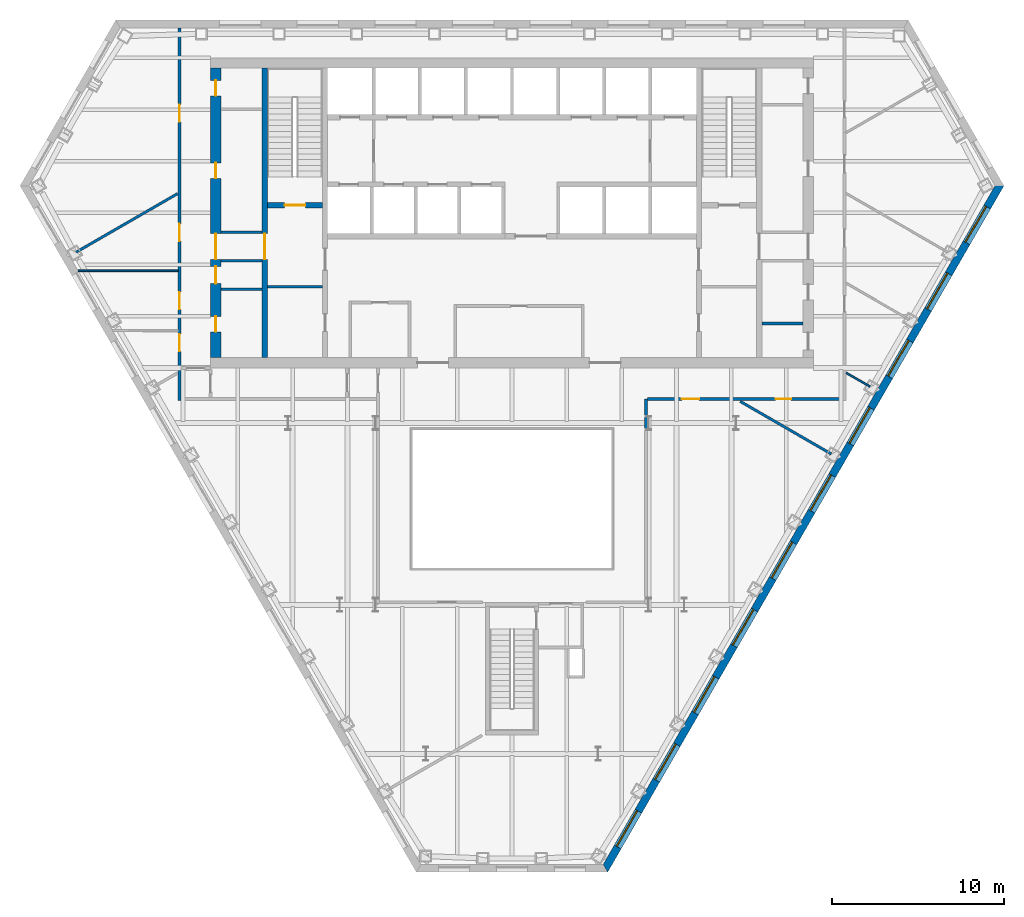
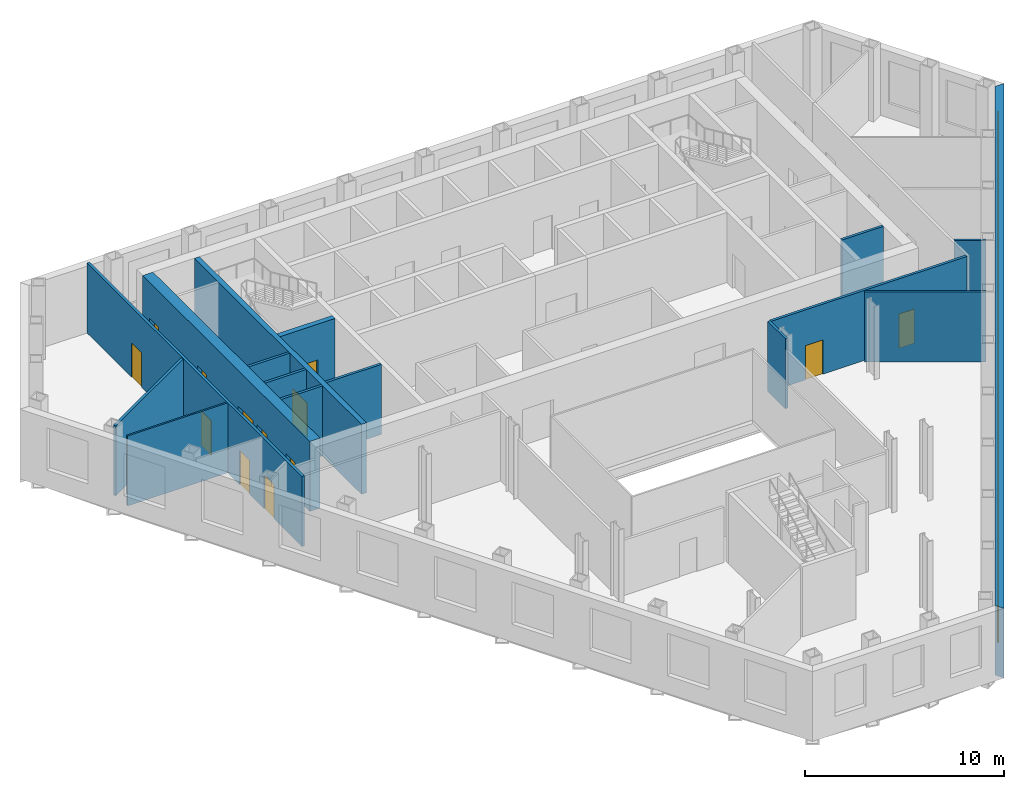
# One storey, part 6 of 12: 16 walls, 13 doors, 10 windows, 23 openings.
"""IFC4 building model written with IfcOpenShell, lengths in metres."""

from ifc_helpers import new_model, si_unit, direction, frame, frame_2d, origin, place, context, subcontext, project, spatial, polyline, rectangle, outline, extrude, material, layer, layer_set, type_object, element, fill, save


model = new_model("IFC4")

# Units and contexts
model_context = context("Model", 3, precision=1e-05, world=origin(), true_north=direction((0.0, 1.0)))
body_context = subcontext(model_context, "Body", "Model", "MODEL_VIEW")
ifc_project = project(units=[si_unit("LENGTHUNIT", "METRE"), si_unit("AREAUNIT", "SQUARE_METRE"), si_unit("VOLUMEUNIT", "CUBIC_METRE"), si_unit("PLANEANGLEUNIT", "RADIAN"), si_unit("MASSUNIT", "GRAM", prefix="KILO")], contexts=[model_context])

# Site, building, storey
site_placement = place(None, origin())
site = spatial("IfcSite", under=ifc_project, at=site_placement, CompositionType="ELEMENT")
building_placement = place(site_placement, origin())
building = spatial("IfcBuilding", under=site, at=building_placement, Name="Njiva Tower", CompositionType="ELEMENT")
storey_placement = place(building_placement, frame((0.0, 0.0, 60.3)))
storey = spatial("IfcBuildingStorey", under=building, at=storey_placement, Name="L12", CompositionType="ELEMENT", Elevation=60.3)

# Walls
ifc_material_1 = material(Name="Blockwork", Category="masonry")
ifc_layer_1 = layer(ifc_material_1, 0.15)
ifc_layer_set_1 = layer_set([ifc_layer_1], Name="Blockwork")
wall_type_1 = type_object("IfcWallType", Name="WT1 Compartment partition 150", PredefinedType="PARTITIONING", material=ifc_layer_set_1)
wall_1_placement = place(storey_placement, frame((-14.2, 4.725, 0.0), z_axis=(0.0, 0.0, 1.0), x_axis=(1.0, 0.0, 0.0)))
element("IfcWall", 1, at=wall_1_placement, inside=storey, type_object=wall_type_1, Name="Room wall A", PredefinedType="PARTITIONING", context=body_context, shape_type="SweptSolid", body=[
    extrude(rectangle(XDim=3.2, YDim=0.15, at=frame_2d((1.6, 0.0))), origin(), (0.0, 0.0, 1.0), 4.3),
])
for number, where, z_axis, x_axis, name in (
    (2, (-16.9, 4.575, 0.0), (0.0, 0.0, 1.0), (1.0, 0.0, 0.0), "Partition strip W00"),
    (3, (14.5, 2.5835, 0.0), (0.0, 0.0, 1.0), (1.0, 0.0, 0.0), "Partition strip E00"),
):
    element("IfcWall", number, at=place(storey_placement, frame(where, z_axis=z_axis, x_axis=x_axis)), inside=storey, type_object=wall_type_1, Name=name, PredefinedType="PARTITIONING", context=body_context, shape_type="SweptSolid", body=[
        extrude(rectangle(XDim=2.4, YDim=0.15, at=frame_2d((1.2, 0.0))), origin(), (0.0, 0.0, 1.0), 4.3),
    ])

# Wall, opening, door
ifc_material_2 = material(Name="Concrete C40/50", Category="concrete")
ifc_layer_2 = layer(ifc_material_2, 0.3)
ifc_layer_set_2 = layer_set([ifc_layer_2], Name="Concrete C40/50")
wall_type_2 = type_object("IfcWallType", Name="WT10 Stair enclosure wall 300", PredefinedType="SHEAR", material=ifc_layer_set_2)
wall_2_placement = place(storey_placement, frame((-14.35, 0.6, 0.0), z_axis=(0.0, 0.0, 1.0), x_axis=(0.0, 1.0, 0.0)))
wall_2 = element("IfcWall", 4, at=wall_2_placement, inside=storey, type_object=wall_type_2, Name="Stair wall west outer", PredefinedType="SHEAR", context=body_context, shape_type="SweptSolid", body=[
    extrude(rectangle(XDim=16.8, YDim=0.3, at=frame_2d((8.4, 0.0))), origin(), (0.0, 0.0, 1.0), 4.3),
])
opening_1_placement = place(wall_2_placement, frame((5.7, 0.0, 0.0)))
opening_1 = element("IfcOpeningElement", 5, at=opening_1_placement, cuts=wall_2, Name="Opening S04-D920", PredefinedType="OPENING", context=body_context, shape_type="SweptSolid", body=[
    extrude(rectangle(XDim=1.5, YDim=2.1, at=frame_2d((0.75, 1.05))), frame((0.0, 0.16, 0.0), z_axis=(0.0, -1.0, 0.0), x_axis=(1.0, 0.0, 0.0)), (0.0, 0.0, 1.0), 0.32),
])
ifc_material_3 = material(Name="Glazed steel fire door", Category="steel")
door_type_1 = type_object("IfcDoorType", Name="D10 Exit door double 1500x2100 glazed", OperationType="DOUBLE_DOOR_SINGLE_SWING", PredefinedType="DOOR", material=ifc_material_3)
door_1_placement = place(opening_1_placement, origin())
door_1 = element("IfcDoor", 6, at=door_1_placement, inside=storey, type_object=door_type_1, Name="Stair A passage door", OperationType="DOUBLE_DOOR_SINGLE_SWING", OverallHeight=2.1, OverallWidth=1.5, PredefinedType="DOOR", context=body_context, shape_type="SweptSolid", body=[
    extrude(rectangle(XDim=1.5, YDim=2.1, at=frame_2d((0.75, 1.05))), frame((0.0, 0.025, 0.0), z_axis=(0.0, -1.0, 0.0), x_axis=(1.0, 0.0, 0.0)), (0.0, 0.0, 1.0), 0.05),
])
fill(opening_1, door_1)

wall_3_placement = place(storey_placement, frame((-14.2, 9.45, 0.0), z_axis=(0.0, 0.0, 1.0), x_axis=(1.0, 0.0, 0.0)))
wall_3 = element("IfcWall", 7, at=wall_3_placement, inside=storey, type_object=wall_type_2, Name="Stair A south wall", PredefinedType="SHEAR", context=body_context, shape_type="SweptSolid", body=[
    extrude(rectangle(XDim=3.2, YDim=0.3, at=frame_2d((1.6, 0.0))), origin(), (0.0, 0.0, 1.0), 4.3),
])
opening_2_placement = place(wall_3_placement, frame((1.0, 0.0, 0.0)))
opening_2 = element("IfcOpeningElement", 8, at=opening_2_placement, cuts=wall_3, Name="Opening S04-D913", PredefinedType="OPENING", context=body_context, shape_type="SweptSolid", body=[
    extrude(rectangle(XDim=1.2, YDim=2.1, at=frame_2d((0.6, 1.05))), frame((0.0, 0.16, 0.0), z_axis=(0.0, -1.0, 0.0), x_axis=(1.0, 0.0, 0.0)), (0.0, 0.0, 1.0), 0.32),
])
door_type_2 = type_object("IfcDoorType", Name="D7 Stair vestibule door 1200x2100 glazed", OperationType="SINGLE_SWING_LEFT", PredefinedType="DOOR", material=ifc_material_3)
door_2_placement = place(opening_2_placement, origin())
door_2 = element("IfcDoor", 9, at=door_2_placement, inside=storey, type_object=door_type_2, Name="Stair A door", OperationType="SINGLE_SWING_LEFT", OverallHeight=2.1, OverallWidth=1.2, PredefinedType="DOOR", context=body_context, shape_type="SweptSolid", body=[
    extrude(rectangle(XDim=1.2, YDim=2.1, at=frame_2d((0.6, 1.05))), frame((0.0, 0.025, 0.0), z_axis=(0.0, -1.0, 0.0), x_axis=(1.0, 0.0, 0.0)), (0.0, 0.0, 1.0), 0.05),
])
fill(opening_2, door_2)

# Wall, openings, doors
ifc_material_4 = material(Name="Concrete C60/75", Category="concrete")
ifc_layer_3 = layer(ifc_material_4, 0.6)
ifc_layer_set_3 = layer_set([ifc_layer_3], Name="Concrete C60/75")
wall_type_3 = type_object("IfcWallType", Name="WT15 Core wall 600", PredefinedType="SHEAR", material=ifc_layer_set_3)
wall_4_placement = place(storey_placement, frame((-17.2, 0.6, 0.0), z_axis=(0.0, 0.0, 1.0), x_axis=(0.0, 1.0, 0.0)))
wall_4 = element("IfcWall", 10, at=wall_4_placement, inside=storey, type_object=wall_type_3, Name="Core wall west", PredefinedType="SHEAR", context=body_context, shape_type="SweptSolid", body=[
    extrude(rectangle(XDim=16.8, YDim=0.6, at=frame_2d((8.4, 0.0))), origin(), (0.0, 0.0, 1.0), 4.3),
])
opening_3_placement = place(wall_4_placement, frame((5.7, 0.0, 0.0)))
opening_3 = element("IfcOpeningElement", 11, at=opening_3_placement, cuts=wall_4, Name="Opening S04-D921", PredefinedType="OPENING", context=body_context, shape_type="SweptSolid", body=[
    extrude(rectangle(XDim=1.5, YDim=2.1, at=frame_2d((0.75, 1.05))), frame((0.0, 0.31, 0.0), z_axis=(0.0, -1.0, 0.0), x_axis=(1.0, 0.0, 0.0)), (0.0, 0.0, 1.0), 0.62),
])
opening_4_placement = place(wall_4_placement, frame((1.5, 0.0, 0.0)))
opening_4 = element("IfcOpeningElement", 12, at=opening_4_placement, cuts=wall_4, Name="Opening S04-D922", PredefinedType="OPENING", context=body_context, shape_type="SweptSolid", body=[
    extrude(rectangle(XDim=0.9, YDim=2.1, at=frame_2d((0.45, 1.05))), frame((0.0, 0.31, 0.0), z_axis=(0.0, -1.0, 0.0), x_axis=(1.0, 0.0, 0.0)), (0.0, 0.0, 1.0), 0.62),
])
opening_5_placement = place(wall_4_placement, frame((4.3, 0.0, 0.0)))
opening_5 = element("IfcOpeningElement", 13, at=opening_5_placement, cuts=wall_4, Name="Opening S04-D923", PredefinedType="OPENING", context=body_context, shape_type="SweptSolid", body=[
    extrude(rectangle(XDim=1.0, YDim=2.1, at=frame_2d((0.5, 1.05))), frame((0.0, 0.31, 0.0), z_axis=(0.0, -1.0, 0.0), x_axis=(1.0, 0.0, 0.0)), (0.0, 0.0, 1.0), 0.62),
])
opening_6_placement = place(wall_4_placement, frame((10.4017, 0.0, 0.0)))
opening_6 = element("IfcOpeningElement", 14, at=opening_6_placement, cuts=wall_4, Name="Opening S04-D924", PredefinedType="OPENING", context=body_context, shape_type="SweptSolid", body=[
    extrude(rectangle(XDim=0.9, YDim=2.1, at=frame_2d((0.45, 1.05))), frame((0.0, 0.31, 0.0), z_axis=(0.0, -1.0, 0.0), x_axis=(1.0, 0.0, 0.0)), (0.0, 0.0, 1.0), 0.62),
])
opening_7_placement = place(wall_4_placement, frame((15.2017, 0.0, 0.0)))
opening_7 = element("IfcOpeningElement", 15, at=opening_7_placement, cuts=wall_4, Name="Opening S04-D925", PredefinedType="OPENING", context=body_context, shape_type="SweptSolid", body=[
    extrude(rectangle(XDim=0.9, YDim=2.1, at=frame_2d((0.45, 1.05))), frame((0.0, 0.31, 0.0), z_axis=(0.0, -1.0, 0.0), x_axis=(1.0, 0.0, 0.0)), (0.0, 0.0, 1.0), 0.62),
])
door_3_placement = place(opening_3_placement, origin())
door_3 = element("IfcDoor", 16, at=door_3_placement, inside=storey, type_object=door_type_1, Name="Stair A corridor door", OperationType="DOUBLE_DOOR_SINGLE_SWING", OverallHeight=2.1, OverallWidth=1.5, PredefinedType="DOOR", context=body_context, shape_type="SweptSolid", body=[
    extrude(rectangle(XDim=1.5, YDim=2.1, at=frame_2d((0.75, 1.05))), frame((0.0, 0.025, 0.0), z_axis=(0.0, -1.0, 0.0), x_axis=(1.0, 0.0, 0.0)), (0.0, 0.0, 1.0), 0.05),
])
fill(opening_3, door_3)
ifc_material_5 = material(Name="Steel door, painted", Category="steel")
door_type_3 = type_object("IfcDoorType", Name="D4 Riser door 900x2100", OperationType="SINGLE_SWING_LEFT", PredefinedType="DOOR", material=ifc_material_5)
door_4_placement = place(opening_7_placement, origin())
door_4 = element("IfcDoor", 17, at=door_4_placement, inside=storey, type_object=door_type_3, Name="Riser door", OperationType="SINGLE_SWING_LEFT", OverallHeight=2.1, OverallWidth=0.9, PredefinedType="DOOR", context=body_context, shape_type="SweptSolid", body=[
    extrude(rectangle(XDim=0.9, YDim=2.1, at=frame_2d((0.45, 1.05))), frame((0.0, 0.025, 0.0), z_axis=(0.0, -1.0, 0.0), x_axis=(1.0, 0.0, 0.0)), (0.0, 0.0, 1.0), 0.05),
])
fill(opening_7, door_4)
door_type_4 = type_object("IfcDoorType", Name="D5 Steel door 1000x2100", OperationType="SINGLE_SWING_LEFT", PredefinedType="DOOR", material=ifc_material_5)
door_5_placement = place(opening_5_placement, origin())
door_5 = element("IfcDoor", 18, at=door_5_placement, inside=storey, type_object=door_type_4, Name="Electrical room door", OperationType="SINGLE_SWING_LEFT", OverallHeight=2.1, OverallWidth=1.0, PredefinedType="DOOR", context=body_context, shape_type="SweptSolid", body=[
    extrude(rectangle(XDim=1.0, YDim=2.1, at=frame_2d((0.5, 1.05))), frame((0.0, 0.025, 0.0), z_axis=(0.0, -1.0, 0.0), x_axis=(1.0, 0.0, 0.0)), (0.0, 0.0, 1.0), 0.05),
])
fill(opening_5, door_5)
ifc_material_6 = material(Name="Steel fire door, painted", Category="steel")
door_type_5 = type_object("IfcDoorType", Name="D6 Fire-rated door 900x2100", OperationType="SINGLE_SWING_LEFT", PredefinedType="DOOR", material=ifc_material_6)
door_6_placement = place(opening_4_placement, origin())
door_6 = element("IfcDoor", 19, at=door_6_placement, inside=storey, type_object=door_type_5, Name="Business centre door", OperationType="SINGLE_SWING_LEFT", OverallHeight=2.1, OverallWidth=0.9, PredefinedType="DOOR", context=body_context, shape_type="SweptSolid", body=[
    extrude(rectangle(XDim=0.9, YDim=2.1, at=frame_2d((0.45, 1.05))), frame((0.0, 0.025, 0.0), z_axis=(0.0, -1.0, 0.0), x_axis=(1.0, 0.0, 0.0)), (0.0, 0.0, 1.0), 0.05),
])
fill(opening_4, door_6)
door_7_placement = place(opening_6_placement, origin())
door_7 = element("IfcDoor", 20, at=door_7_placement, inside=storey, type_object=door_type_5, Name="Meeting room door", OperationType="SINGLE_SWING_RIGHT", OverallHeight=2.1, OverallWidth=0.9, PredefinedType="DOOR", context=body_context, shape_type="SweptSolid", body=[
    extrude(rectangle(XDim=0.9, YDim=2.1, at=frame_2d((0.45, 1.05))), frame((0.0, 0.025, 0.0), z_axis=(0.0, -1.0, 0.0), x_axis=(1.0, 0.0, 0.0)), (0.0, 0.0, 1.0), 0.05),
])
fill(opening_6, door_7)

# Walls
ifc_material_7 = material(Name="Gypsum board on steel studs", Category="gypsum")
ifc_layer_4 = layer(ifc_material_7, 0.1)
ifc_layer_set_4 = layer_set([ifc_layer_4], Name="Gypsum board on steel studs")
wall_type_4 = type_object("IfcWallType", Name="WT20 Gypsum partition 100", PredefinedType="PARTITIONING", material=ifc_layer_set_4)
wall_5_placement = place(storey_placement, frame((-25.192, 5.646, 0.0), z_axis=(0.0, 0.0, 1.0), x_axis=(1.0, 0.0, 0.0)))
element("IfcWall", 21, at=wall_5_placement, inside=storey, type_object=wall_type_4, Name="Partition S04-P002", PredefinedType="PARTITIONING", context=body_context, shape_type="SweptSolid", body=[
    extrude(rectangle(XDim=5.817, YDim=0.1, at=frame_2d((2.9085, 0.0))), origin(), (0.0, 0.0, 1.0), 4.3),
])
wall_6_placement = place(storey_placement, frame((19.4, -0.285, 0.0), z_axis=(0.0, 0.0, 1.0), x_axis=(0.866237568633, -0.499632339514, 0.0)))
element("IfcWall", 22, at=wall_6_placement, inside=storey, type_object=wall_type_4, Name="Partition S04-P019", PredefinedType="PARTITIONING", context=body_context, shape_type="SweptSolid", body=[
    extrude(rectangle(XDim=1.6012, YDim=0.1, at=frame_2d((0.8006, 0.0))), origin(), (0.0, 0.0, 1.0), 4.3),
])
ifc_layer_5 = layer(ifc_material_7, 0.15)
ifc_layer_set_5 = layer_set([ifc_layer_5], Name="Gypsum board on steel studs")
wall_type_5 = type_object("IfcWallType", Name="WT21 Compartment wall 150", PredefinedType="PARTITIONING", material=ifc_layer_set_5)
wall_7_placement = place(storey_placement, frame((-25.296, 6.725, 0.0), z_axis=(0.0, 0.0, 1.0), x_axis=(0.866161077876, 0.499764931915, 0.0)))
element("IfcWall", 23, at=wall_7_placement, inside=storey, type_object=wall_type_5, Name="Partition S04-P001", PredefinedType="PARTITIONING", context=body_context, shape_type="SweptSolid", body=[
    extrude(rectangle(XDim=6.7932, YDim=0.15, at=frame_2d((3.3966, 0.0))), origin(), (0.0, 0.0, 1.0), 4.3),
])

# Wall, openings, doors
wall_8_placement = place(storey_placement, frame((-19.3, -1.875, 0.0), z_axis=(0.0, 0.0, 1.0), x_axis=(0.0, 1.0, 0.0)))
wall_8 = element("IfcWall", 24, at=wall_8_placement, inside=storey, type_object=wall_type_5, Name="Partition S04-P005", PredefinedType="PARTITIONING", context=body_context, shape_type="SweptSolid", body=[
    extrude(rectangle(XDim=21.623, YDim=0.15, at=frame_2d((10.8115, 0.0))), origin(), (0.0, 0.0, 1.0), 4.3),
])
opening_8_placement = place(wall_8_placement, frame((2.839, 0.0, 0.0)))
opening_8 = element("IfcOpeningElement", 25, at=opening_8_placement, cuts=wall_8, Name="Opening S04-D001", PredefinedType="OPENING", context=body_context, shape_type="SweptSolid", body=[
    extrude(rectangle(XDim=1.0, YDim=2.1, at=frame_2d((0.5, 1.05))), frame((0.0, 0.085, 0.0), z_axis=(0.0, -1.0, 0.0), x_axis=(1.0, 0.0, 0.0)), (0.0, 0.0, 1.0), 0.17),
])
opening_9_placement = place(wall_8_placement, frame((5.28, 0.0, 0.0)))
opening_9 = element("IfcOpeningElement", 26, at=opening_9_placement, cuts=wall_8, Name="Opening S04-D002", PredefinedType="OPENING", context=body_context, shape_type="SweptSolid", body=[
    extrude(rectangle(XDim=1.0, YDim=2.1, at=frame_2d((0.5, 1.05))), frame((0.0, 0.085, 0.0), z_axis=(0.0, -1.0, 0.0), x_axis=(1.0, 0.0, 0.0)), (0.0, 0.0, 1.0), 0.17),
])
opening_10_placement = place(wall_8_placement, frame((9.239, 0.0, 0.0)))
opening_10 = element("IfcOpeningElement", 27, at=opening_10_placement, cuts=wall_8, Name="Opening S04-D003", PredefinedType="OPENING", context=body_context, shape_type="SweptSolid", body=[
    extrude(rectangle(XDim=1.0, YDim=2.1, at=frame_2d((0.5, 1.05))), frame((0.0, 0.085, 0.0), z_axis=(0.0, -1.0, 0.0), x_axis=(1.0, 0.0, 0.0)), (0.0, 0.0, 1.0), 0.17),
])
opening_11_placement = place(wall_8_placement, frame((16.167, 0.0, 0.0)))
opening_11 = element("IfcOpeningElement", 28, at=opening_11_placement, cuts=wall_8, Name="Opening S04-D004", PredefinedType="OPENING", context=body_context, shape_type="SweptSolid", body=[
    extrude(rectangle(XDim=1.0, YDim=2.1, at=frame_2d((0.5, 1.05))), frame((0.0, 0.085, 0.0), z_axis=(0.0, -1.0, 0.0), x_axis=(1.0, 0.0, 0.0)), (0.0, 0.0, 1.0), 0.17),
])
ifc_material_8 = material(Name="Steel fire door set", Category="steel")
door_type_6 = type_object("IfcDoorType", Name="D37 Fire door 1000x2100", OperationType="SINGLE_SWING_LEFT", PredefinedType="DOOR", material=ifc_material_8)
door_8_placement = place(opening_8_placement, origin())
door_8 = element("IfcDoor", 29, at=door_8_placement, inside=storey, type_object=door_type_6, Name="Door S04-D001", OperationType="SINGLE_SWING_RIGHT", OverallHeight=2.1, OverallWidth=1.0, PredefinedType="DOOR", context=body_context, shape_type="SweptSolid", body=[
    extrude(rectangle(XDim=1.0, YDim=2.1, at=frame_2d((0.5, 1.05))), frame((0.0, 0.025, 0.0), z_axis=(0.0, -1.0, 0.0), x_axis=(1.0, 0.0, 0.0)), (0.0, 0.0, 1.0), 0.05),
])
fill(opening_8, door_8)
door_9_placement = place(opening_9_placement, origin())
door_9 = element("IfcDoor", 30, at=door_9_placement, inside=storey, type_object=door_type_6, Name="Door S04-D002", OperationType="SINGLE_SWING_RIGHT", OverallHeight=2.1, OverallWidth=1.0, PredefinedType="DOOR", context=body_context, shape_type="SweptSolid", body=[
    extrude(rectangle(XDim=1.0, YDim=2.1, at=frame_2d((0.5, 1.05))), frame((0.0, 0.025, 0.0), z_axis=(0.0, -1.0, 0.0), x_axis=(1.0, 0.0, 0.0)), (0.0, 0.0, 1.0), 0.05),
])
fill(opening_9, door_9)
door_10_placement = place(opening_10_placement, origin())
door_10 = element("IfcDoor", 31, at=door_10_placement, inside=storey, type_object=door_type_6, Name="Door S04-D003", OperationType="SINGLE_SWING_RIGHT", OverallHeight=2.1, OverallWidth=1.0, PredefinedType="DOOR", context=body_context, shape_type="SweptSolid", body=[
    extrude(rectangle(XDim=1.0, YDim=2.1, at=frame_2d((0.5, 1.05))), frame((0.0, 0.025, 0.0), z_axis=(0.0, -1.0, 0.0), x_axis=(1.0, 0.0, 0.0)), (0.0, 0.0, 1.0), 0.05),
])
fill(opening_10, door_10)
door_11_placement = place(opening_11_placement, origin())
door_11 = element("IfcDoor", 32, at=door_11_placement, inside=storey, type_object=door_type_6, Name="Door S04-D004", OperationType="SINGLE_SWING_LEFT", OverallHeight=2.1, OverallWidth=1.0, PredefinedType="DOOR", context=body_context, shape_type="SweptSolid", body=[
    extrude(rectangle(XDim=1.0, YDim=2.1, at=frame_2d((0.5, 1.05))), frame((0.0, 0.025, 0.0), z_axis=(0.0, -1.0, 0.0), x_axis=(1.0, 0.0, 0.0)), (0.0, 0.0, 1.0), 0.05),
])
fill(opening_11, door_11)

# Wall
wall_9_placement = place(storey_placement, frame((7.78, -3.557, 0.0), z_axis=(0.0, 0.0, 1.0), x_axis=(0.0, 1.0, 0.0)))
element("IfcWall", 33, at=wall_9_placement, inside=storey, type_object=wall_type_5, Name="Partition S04-P014A", PredefinedType="PARTITIONING", context=body_context, shape_type="SweptSolid", body=[
    extrude(rectangle(XDim=1.769, YDim=0.15, at=frame_2d((0.8845, 0.0))), origin(), (0.0, 0.0, 1.0), 4.3),
])

# Wall, openings, doors
wall_10_placement = place(storey_placement, frame((7.855, -1.8, 0.0), z_axis=(0.0, 0.0, 1.0), x_axis=(1.0, 0.0, 0.0)))
wall_10 = element("IfcWall", 34, at=wall_10_placement, inside=storey, type_object=wall_type_5, Name="Partition S04-P015", PredefinedType="PARTITIONING", context=body_context, shape_type="SweptSolid", body=[
    extrude(rectangle(XDim=11.37, YDim=0.15, at=frame_2d((5.685, 0.0))), origin(), (0.0, 0.0, 1.0), 4.3),
])
opening_12_placement = place(wall_10_placement, frame((2.001, 0.0, 0.0)))
opening_12 = element("IfcOpeningElement", 35, at=opening_12_placement, cuts=wall_10, Name="Opening S04-D010", PredefinedType="OPENING", context=body_context, shape_type="SweptSolid", body=[
    extrude(rectangle(XDim=1.0, YDim=2.1, at=frame_2d((0.5, 1.05))), frame((0.0, 0.085, 0.0), z_axis=(0.0, -1.0, 0.0), x_axis=(1.0, 0.0, 0.0)), (0.0, 0.0, 1.0), 0.17),
])
opening_13_placement = place(wall_10_placement, frame((7.455, 0.0, 0.0)))
opening_13 = element("IfcOpeningElement", 36, at=opening_13_placement, cuts=wall_10, Name="Opening S04-D011", PredefinedType="OPENING", context=body_context, shape_type="SweptSolid", body=[
    extrude(rectangle(XDim=0.9, YDim=2.1, at=frame_2d((0.45, 1.05))), frame((0.0, 0.085, 0.0), z_axis=(0.0, -1.0, 0.0), x_axis=(1.0, 0.0, 0.0)), (0.0, 0.0, 1.0), 0.17),
])
door_type_7 = type_object("IfcDoorType", Name="D36 Fire door 900x2100", OperationType="SINGLE_SWING_LEFT", PredefinedType="DOOR", material=ifc_material_8)
door_12_placement = place(opening_13_placement, origin())
door_12 = element("IfcDoor", 37, at=door_12_placement, inside=storey, type_object=door_type_7, Name="Door S04-D011", OperationType="SINGLE_SWING_RIGHT", OverallHeight=2.1, OverallWidth=0.9, PredefinedType="DOOR", context=body_context, shape_type="SweptSolid", body=[
    extrude(rectangle(XDim=0.9, YDim=2.1, at=frame_2d((0.45, 1.05))), frame((0.0, 0.025, 0.0), z_axis=(0.0, -1.0, 0.0), x_axis=(1.0, 0.0, 0.0)), (0.0, 0.0, 1.0), 0.05),
])
fill(opening_13, door_12)
door_13_placement = place(opening_12_placement, origin())
door_13 = element("IfcDoor", 38, at=door_13_placement, inside=storey, type_object=door_type_6, Name="Door S04-D010", OperationType="SINGLE_SWING_LEFT", OverallHeight=2.1, OverallWidth=1.0, PredefinedType="DOOR", context=body_context, shape_type="SweptSolid", body=[
    extrude(rectangle(XDim=1.0, YDim=2.1, at=frame_2d((0.5, 1.05))), frame((0.0, 0.025, 0.0), z_axis=(0.0, -1.0, 0.0), x_axis=(1.0, 0.0, 0.0)), (0.0, 0.0, 1.0), 0.05),
])
fill(opening_12, door_13)

# Walls
wall_11_placement = place(storey_placement, frame((13.249, -1.94, 0.0), z_axis=(0.0, 0.0, 1.0), x_axis=(0.866035445757, -0.49998260639, 0.0)))
element("IfcWall", 39, at=wall_11_placement, inside=storey, type_object=wall_type_5, Name="Partition S04-P016", PredefinedType="PARTITIONING", context=body_context, shape_type="SweptSolid", body=[
    extrude(rectangle(XDim=6.1002, YDim=0.15, at=frame_2d((3.0501, 0.0))), origin(), (0.0, 0.0, 1.0), 4.3),
])
ifc_layer_6 = layer(ifc_material_1, 0.15)
ifc_layer_set_6 = layer_set([ifc_layer_6], Name="Blockwork")
wall_type_6 = type_object("IfcWallType", Name="WT4 Stair partition 150", PredefinedType="PARTITIONING", material=ifc_layer_set_6)
for number, where, z_axis, x_axis, name in (
    (40, (-16.9, 6.225, 0.0), (0.0, 0.0, 1.0), (1.0, 0.0, 0.0), "Stair A exit passage wall south"),
    (41, (-16.9, 7.875, 0.0), (0.0, 0.0, 1.0), (1.0, 0.0, 0.0), "Stair A exit passage wall north"),
):
    element("IfcWall", number, at=place(storey_placement, frame(where, z_axis=z_axis, x_axis=x_axis)), inside=storey, type_object=wall_type_6, Name=name, PredefinedType="PARTITIONING", context=body_context, shape_type="SweptSolid", body=[
        extrude(rectangle(XDim=2.4, YDim=0.15, at=frame_2d((1.2, 0.0))), origin(), (0.0, 0.0, 1.0), 4.3),
    ])

# Wall, openings, windows
ifc_material_9 = material(Name="Brick masonry", Category="masonry")
ifc_layer_7 = layer(ifc_material_9, 0.45)
ifc_layer_set_7 = layer_set([ifc_layer_7], Name="Brick masonry")
wall_type_7 = type_object("IfcWallType", Name="WT90 Brick pier and spandrel wall 450", PredefinedType="SOLIDWALL", material=ifc_layer_set_7)
wall_12_placement = place(storey_placement, frame((5.4251, -29.0424, -0.18), z_axis=(0.0, 0.0, 1.0), x_axis=(0.499999388847, 0.866025756634, 0.0)))
wall_12 = element("IfcWall", 42, at=wall_12_placement, inside=storey, type_object=wall_type_7, Name="Facade wall SE", PredefinedType="SOLIDWALL", context=body_context, shape_type="SweptSolid", body=[
    extrude(outline(polyline([(-0.1299, -0.225), (45.8802, -0.225), (45.6204, 0.225), (0.1299, 0.225), (-0.1299, -0.225)])), origin(), (0.0, 0.0, 1.0), 4.28),
])
opening_14_placement = place(wall_12_placement, frame((1.4247, 0.0, 1.08)))
opening_14 = element("IfcOpeningElement", 43, at=opening_14_placement, cuts=wall_12, Name="Opening S04-W25", PredefinedType="OPENING", context=body_context, shape_type="SweptSolid", body=[
    extrude(rectangle(XDim=2.4, YDim=2.6, at=frame_2d((1.2, 1.3))), frame((0.0, 0.235, 0.0), z_axis=(0.0, -1.0, 0.0), x_axis=(1.0, 0.0, 0.0)), (0.0, 0.0, 1.0), 0.47),
])
opening_15_placement = place(wall_12_placement, frame((5.8949, 0.0, 1.08)))
opening_15 = element("IfcOpeningElement", 44, at=opening_15_placement, cuts=wall_12, Name="Opening S04-W26", PredefinedType="OPENING", context=body_context, shape_type="SweptSolid", body=[
    extrude(rectangle(XDim=2.4, YDim=2.6, at=frame_2d((1.2, 1.3))), frame((0.0, 0.235, 0.0), z_axis=(0.0, -1.0, 0.0), x_axis=(1.0, 0.0, 0.0)), (0.0, 0.0, 1.0), 0.47),
])
opening_16_placement = place(wall_12_placement, frame((10.4035, 0.0, 1.08)))
opening_16 = element("IfcOpeningElement", 45, at=opening_16_placement, cuts=wall_12, Name="Opening S04-W27", PredefinedType="OPENING", context=body_context, shape_type="SweptSolid", body=[
    extrude(rectangle(XDim=2.4, YDim=2.6, at=frame_2d((1.2, 1.3))), frame((0.0, 0.235, 0.0), z_axis=(0.0, -1.0, 0.0), x_axis=(1.0, 0.0, 0.0)), (0.0, 0.0, 1.0), 0.47),
])
opening_17_placement = place(wall_12_placement, frame((14.9122, 0.0, 1.08)))
opening_17 = element("IfcOpeningElement", 46, at=opening_17_placement, cuts=wall_12, Name="Opening S04-W28", PredefinedType="OPENING", context=body_context, shape_type="SweptSolid", body=[
    extrude(rectangle(XDim=2.4, YDim=2.6, at=frame_2d((1.2, 1.3))), frame((0.0, 0.235, 0.0), z_axis=(0.0, -1.0, 0.0), x_axis=(1.0, 0.0, 0.0)), (0.0, 0.0, 1.0), 0.47),
])
opening_18_placement = place(wall_12_placement, frame((19.4208, 0.0, 1.08)))
opening_18 = element("IfcOpeningElement", 47, at=opening_18_placement, cuts=wall_12, Name="Opening S04-W29", PredefinedType="OPENING", context=body_context, shape_type="SweptSolid", body=[
    extrude(rectangle(XDim=2.4, YDim=2.6, at=frame_2d((1.2, 1.3))), frame((0.0, 0.235, 0.0), z_axis=(0.0, -1.0, 0.0), x_axis=(1.0, 0.0, 0.0)), (0.0, 0.0, 1.0), 0.47),
])
opening_19_placement = place(wall_12_placement, frame((23.9294, 0.0, 1.08)))
opening_19 = element("IfcOpeningElement", 48, at=opening_19_placement, cuts=wall_12, Name="Opening S04-W30", PredefinedType="OPENING", context=body_context, shape_type="SweptSolid", body=[
    extrude(rectangle(XDim=2.4, YDim=2.6, at=frame_2d((1.2, 1.3))), frame((0.0, 0.235, 0.0), z_axis=(0.0, -1.0, 0.0), x_axis=(1.0, 0.0, 0.0)), (0.0, 0.0, 1.0), 0.47),
])
opening_20_placement = place(wall_12_placement, frame((28.438, 0.0, 1.08)))
opening_20 = element("IfcOpeningElement", 49, at=opening_20_placement, cuts=wall_12, Name="Opening S04-W31", PredefinedType="OPENING", context=body_context, shape_type="SweptSolid", body=[
    extrude(rectangle(XDim=2.4, YDim=2.6, at=frame_2d((1.2, 1.3))), frame((0.0, 0.235, 0.0), z_axis=(0.0, -1.0, 0.0), x_axis=(1.0, 0.0, 0.0)), (0.0, 0.0, 1.0), 0.47),
])
opening_21_placement = place(wall_12_placement, frame((32.9466, 0.0, 1.08)))
opening_21 = element("IfcOpeningElement", 50, at=opening_21_placement, cuts=wall_12, Name="Opening S04-W32", PredefinedType="OPENING", context=body_context, shape_type="SweptSolid", body=[
    extrude(rectangle(XDim=2.4, YDim=2.6, at=frame_2d((1.2, 1.3))), frame((0.0, 0.235, 0.0), z_axis=(0.0, -1.0, 0.0), x_axis=(1.0, 0.0, 0.0)), (0.0, 0.0, 1.0), 0.47),
])
opening_22_placement = place(wall_12_placement, frame((37.4553, 0.0, 1.08)))
opening_22 = element("IfcOpeningElement", 51, at=opening_22_placement, cuts=wall_12, Name="Opening S04-W33", PredefinedType="OPENING", context=body_context, shape_type="SweptSolid", body=[
    extrude(rectangle(XDim=2.4, YDim=2.6, at=frame_2d((1.2, 1.3))), frame((0.0, 0.235, 0.0), z_axis=(0.0, -1.0, 0.0), x_axis=(1.0, 0.0, 0.0)), (0.0, 0.0, 1.0), 0.47),
])
opening_23_placement = place(wall_12_placement, frame((41.9255, 0.0, 1.08)))
opening_23 = element("IfcOpeningElement", 52, at=opening_23_placement, cuts=wall_12, Name="Opening S04-W34", PredefinedType="OPENING", context=body_context, shape_type="SweptSolid", body=[
    extrude(rectangle(XDim=2.4, YDim=2.6, at=frame_2d((1.2, 1.3))), frame((0.0, 0.235, 0.0), z_axis=(0.0, -1.0, 0.0), x_axis=(1.0, 0.0, 0.0)), (0.0, 0.0, 1.0), 0.47),
])
ifc_material_10 = material(Name="Clear glazing in aluminium frame", Category="aluminium")
window_type = type_object("IfcWindowType", Name="W92 Deep-set window 2400x2600", PartitioningType="SINGLE_PANEL", PredefinedType="WINDOW", material=ifc_material_10)
window_1_placement = place(opening_14_placement, origin())
window_1 = element("IfcWindow", 53, at=window_1_placement, inside=storey, type_object=window_type, Name="Window", OverallHeight=2.6, OverallWidth=2.4, PartitioningType="SINGLE_PANEL", PredefinedType="WINDOW", context=body_context, shape_type="SweptSolid", body=[
    extrude(rectangle(XDim=2.4, YDim=2.6, at=frame_2d((1.2, 1.3))), frame((0.0, 0.105, 0.0), z_axis=(0.0, -1.0, 0.0), x_axis=(1.0, 0.0, 0.0)), (0.0, 0.0, 1.0), 0.06),
])
fill(opening_14, window_1)
window_2_placement = place(opening_15_placement, origin())
window_2 = element("IfcWindow", 54, at=window_2_placement, inside=storey, type_object=window_type, Name="Window", OverallHeight=2.6, OverallWidth=2.4, PartitioningType="SINGLE_PANEL", PredefinedType="WINDOW", context=body_context, shape_type="SweptSolid", body=[
    extrude(rectangle(XDim=2.4, YDim=2.6, at=frame_2d((1.2, 1.3))), frame((0.0, 0.105, 0.0), z_axis=(0.0, -1.0, 0.0), x_axis=(1.0, 0.0, 0.0)), (0.0, 0.0, 1.0), 0.06),
])
fill(opening_15, window_2)
window_3_placement = place(opening_16_placement, origin())
window_3 = element("IfcWindow", 55, at=window_3_placement, inside=storey, type_object=window_type, Name="Window", OverallHeight=2.6, OverallWidth=2.4, PartitioningType="SINGLE_PANEL", PredefinedType="WINDOW", context=body_context, shape_type="SweptSolid", body=[
    extrude(rectangle(XDim=2.4, YDim=2.6, at=frame_2d((1.2, 1.3))), frame((0.0, 0.105, 0.0), z_axis=(0.0, -1.0, 0.0), x_axis=(1.0, 0.0, 0.0)), (0.0, 0.0, 1.0), 0.06),
])
fill(opening_16, window_3)
window_4_placement = place(opening_17_placement, origin())
window_4 = element("IfcWindow", 56, at=window_4_placement, inside=storey, type_object=window_type, Name="Window", OverallHeight=2.6, OverallWidth=2.4, PartitioningType="SINGLE_PANEL", PredefinedType="WINDOW", context=body_context, shape_type="SweptSolid", body=[
    extrude(rectangle(XDim=2.4, YDim=2.6, at=frame_2d((1.2, 1.3))), frame((0.0, 0.105, 0.0), z_axis=(0.0, -1.0, 0.0), x_axis=(1.0, 0.0, 0.0)), (0.0, 0.0, 1.0), 0.06),
])
fill(opening_17, window_4)
window_5_placement = place(opening_18_placement, origin())
window_5 = element("IfcWindow", 57, at=window_5_placement, inside=storey, type_object=window_type, Name="Window", OverallHeight=2.6, OverallWidth=2.4, PartitioningType="SINGLE_PANEL", PredefinedType="WINDOW", context=body_context, shape_type="SweptSolid", body=[
    extrude(rectangle(XDim=2.4, YDim=2.6, at=frame_2d((1.2, 1.3))), frame((0.0, 0.105, 0.0), z_axis=(0.0, -1.0, 0.0), x_axis=(1.0, 0.0, 0.0)), (0.0, 0.0, 1.0), 0.06),
])
fill(opening_18, window_5)
window_6_placement = place(opening_19_placement, origin())
window_6 = element("IfcWindow", 58, at=window_6_placement, inside=storey, type_object=window_type, Name="Window", OverallHeight=2.6, OverallWidth=2.4, PartitioningType="SINGLE_PANEL", PredefinedType="WINDOW", context=body_context, shape_type="SweptSolid", body=[
    extrude(rectangle(XDim=2.4, YDim=2.6, at=frame_2d((1.2, 1.3))), frame((0.0, 0.105, 0.0), z_axis=(0.0, -1.0, 0.0), x_axis=(1.0, 0.0, 0.0)), (0.0, 0.0, 1.0), 0.06),
])
fill(opening_19, window_6)
window_7_placement = place(opening_20_placement, origin())
window_7 = element("IfcWindow", 59, at=window_7_placement, inside=storey, type_object=window_type, Name="Window", OverallHeight=2.6, OverallWidth=2.4, PartitioningType="SINGLE_PANEL", PredefinedType="WINDOW", context=body_context, shape_type="SweptSolid", body=[
    extrude(rectangle(XDim=2.4, YDim=2.6, at=frame_2d((1.2, 1.3))), frame((0.0, 0.105, 0.0), z_axis=(0.0, -1.0, 0.0), x_axis=(1.0, 0.0, 0.0)), (0.0, 0.0, 1.0), 0.06),
])
fill(opening_20, window_7)
window_8_placement = place(opening_21_placement, origin())
window_8 = element("IfcWindow", 60, at=window_8_placement, inside=storey, type_object=window_type, Name="Window", OverallHeight=2.6, OverallWidth=2.4, PartitioningType="SINGLE_PANEL", PredefinedType="WINDOW", context=body_context, shape_type="SweptSolid", body=[
    extrude(rectangle(XDim=2.4, YDim=2.6, at=frame_2d((1.2, 1.3))), frame((0.0, 0.105, 0.0), z_axis=(0.0, -1.0, 0.0), x_axis=(1.0, 0.0, 0.0)), (0.0, 0.0, 1.0), 0.06),
])
fill(opening_21, window_8)
window_9_placement = place(opening_22_placement, origin())
window_9 = element("IfcWindow", 61, at=window_9_placement, inside=storey, type_object=window_type, Name="Window", OverallHeight=2.6, OverallWidth=2.4, PartitioningType="SINGLE_PANEL", PredefinedType="WINDOW", context=body_context, shape_type="SweptSolid", body=[
    extrude(rectangle(XDim=2.4, YDim=2.6, at=frame_2d((1.2, 1.3))), frame((0.0, 0.105, 0.0), z_axis=(0.0, -1.0, 0.0), x_axis=(1.0, 0.0, 0.0)), (0.0, 0.0, 1.0), 0.06),
])
fill(opening_22, window_9)
window_10_placement = place(opening_23_placement, origin())
window_10 = element("IfcWindow", 62, at=window_10_placement, inside=storey, type_object=window_type, Name="Window", OverallHeight=2.6, OverallWidth=2.4, PartitioningType="SINGLE_PANEL", PredefinedType="WINDOW", context=body_context, shape_type="SweptSolid", body=[
    extrude(rectangle(XDim=2.4, YDim=2.6, at=frame_2d((1.2, 1.3))), frame((0.0, 0.105, 0.0), z_axis=(0.0, -1.0, 0.0), x_axis=(1.0, 0.0, 0.0)), (0.0, 0.0, 1.0), 0.06),
])
fill(opening_23, window_10)

save(model, "model.ifc")
